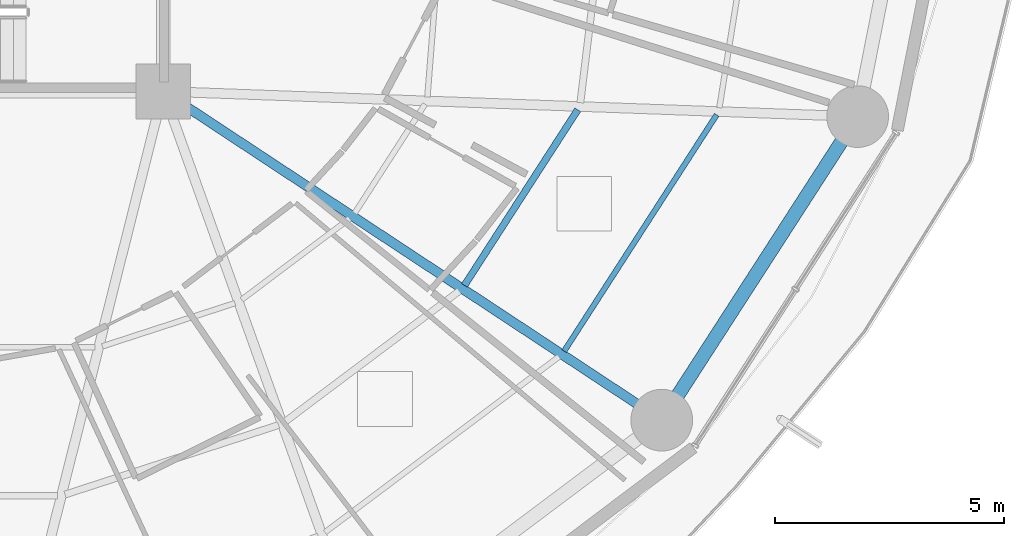
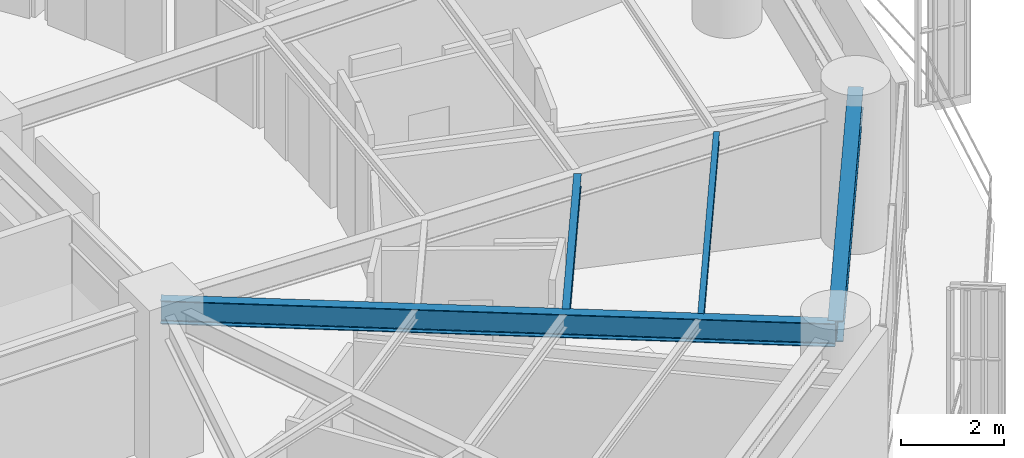
# One storey, part 13 of 38: 4 beams.
"""IFC4 building model written with IfcOpenShell, lengths in metres."""

import ifcopenshell
import ifcopenshell.guid

model = None  # the IFC model being written
_history = None  # IfcOwnerHistory: only IFC2X3 demands one
_inside = {}  # id of a spatial element -> (the spatial element, [elements in it])
_under = {}  # id of a project, library or spatial element -> (it, [spatial elements below it])
_declared = {}  # id of a project -> (the project, [libraries it declares])
_typed = {}  # id of a type object -> (the type object, [elements of that type])
_made_of = {}  # id of a material, layer set ... -> (it, [elements and type objects made of it])


def new_model(schema):
    """Start an empty IFC model of exactly this schema.

    Asked for "IFC4X3", IfcOpenShell would pick the latest addendum, in which some entities
    have other attributes; the version numbers below select the first issue.
    IFC2X3 requires an IfcOwnerHistory on every rooted entity: one is made here for all.
    """
    global model, _history
    if schema == "IFC4X3":
        model = ifcopenshell.file(schema_version=(4, 3, 0, 0))
    else:
        model = ifcopenshell.file(schema=schema)
    _inside.clear()
    _under.clear()
    _declared.clear()
    _typed.clear()
    _made_of.clear()
    _history = None
    if model.schema == "IFC2X3":
        org = make("IfcOrganization", Name="unknown")
        user = make(
            "IfcPersonAndOrganization",
            ThePerson=make("IfcPerson", FamilyName="unknown"),
            TheOrganization=org,
        )
        app = make(
            "IfcApplication",
            ApplicationDeveloper=org,
            Version="unknown",
            ApplicationFullName="unknown",
            ApplicationIdentifier="unknown",
        )
        _history = make(
            "IfcOwnerHistory",
            OwningUser=user,
            OwningApplication=app,
            ChangeAction="ADDED",
            CreationDate=0,
        )
    return model


def make(cls, **values):
    """One entity of the class cls with the attributes given. An attribute that is None is left unset."""
    return model.create_entity(
        cls, **{name: value for name, value in values.items() if value is not None}
    )


def rooted(cls, **values):
    """An entity with a GlobalId (a new one), such as an element, a storey or a relation."""
    return make(cls, GlobalId=ifcopenshell.guid.new(), OwnerHistory=_history, **values)


def si_unit(unit_type, name, prefix=None):
    """IfcSIUnit, for example si_unit("LENGTHUNIT", "METRE", prefix="MILLI")."""
    return make("IfcSIUnit", UnitType=unit_type, Prefix=prefix, Name=name)


def assignment(units):
    """IfcUnitAssignment: the units of a project."""
    return None if units is None else make("IfcUnitAssignment", Units=units)


def point(xyz):
    """IfcCartesianPoint."""
    return None if xyz is None else make("IfcCartesianPoint", Coordinates=xyz)


def direction(xyz):
    """IfcDirection."""
    return None if xyz is None else make("IfcDirection", DirectionRatios=xyz)


def frame(location, z_axis=None, x_axis=None):
    """IfcAxis2Placement3D, a coordinate frame: its origin and axes. An axis left out is left unset."""
    return make(
        "IfcAxis2Placement3D",
        Location=point(location),
        Axis=direction(z_axis),
        RefDirection=direction(x_axis),
    )


def frame_2d(location, x_axis=None):
    """IfcAxis2Placement2D, a coordinate frame in the plane: its origin and x axis."""
    return make(
        "IfcAxis2Placement2D", Location=point(location), RefDirection=direction(x_axis)
    )


def origin():
    """The frame at (0, 0, 0) with its axes left unset."""
    return frame((0.0, 0.0, 0.0))


def origin_2d():
    """The frame at (0, 0) in the plane with its x axis left unset."""
    return frame_2d((0.0, 0.0))


def place(relative_to, where):
    """IfcLocalPlacement: puts the frame where relative to a parent placement (None: the world)."""
    return make(
        "IfcLocalPlacement", PlacementRelTo=relative_to, RelativePlacement=where
    )


def context(
    kind, dimensions, precision=None, world=None, true_north=None, identifier=None
):
    """IfcGeometricRepresentationContext, for example the 3D "Model" context."""
    return make(
        "IfcGeometricRepresentationContext",
        ContextIdentifier=identifier,
        ContextType=kind,
        CoordinateSpaceDimension=dimensions,
        Precision=precision,
        WorldCoordinateSystem=world,
        TrueNorth=true_north,
    )


def subcontext(parent, identifier, kind, view, scale=None):
    """IfcGeometricRepresentationSubContext, for example "Body" below "Model"."""
    return make(
        "IfcGeometricRepresentationSubContext",
        ContextIdentifier=identifier,
        ContextType=kind,
        ParentContext=parent,
        TargetScale=scale,
        TargetView=view,
    )


def project(units=None, contexts=None):
    """IfcProject with its units and contexts."""
    return rooted(
        "IfcProject",
        Name="project",
        RepresentationContexts=contexts,
        UnitsInContext=assignment(units),
    )


def spatial(cls, under=None, at=None, **own):
    """A site, building, storey or space (cls), placed at a placement, below another one or the project."""
    s = rooted(cls, ObjectPlacement=at, **own)
    if under is not None:
        _under.setdefault(under.id(), (under, []))[1].append(s)
    return s


def profile(cls, at=None, kind="AREA", **sizes):
    """A parametric profile (cls). Its sizes go by their IFC names, for example OverallWidth=200.0."""
    return make(cls, ProfileType=kind, Position=at, **sizes)


def i_section(**sizes):
    """IfcIShapeProfileDef."""
    return profile("IfcIShapeProfileDef", **sizes)


def extrude(swept, where, along, depth):
    """IfcExtrudedAreaSolid: the profile swept, set in the frame where, extruded along a direction by depth."""
    return make(
        "IfcExtrudedAreaSolid",
        SweptArea=swept,
        Position=where,
        ExtrudedDirection=direction(along),
        Depth=depth,
    )


def shape(context_of_items, identifier, shape_type, items):
    """IfcShapeRepresentation: the items that make up one representation, for example the "Body"."""
    return make(
        "IfcShapeRepresentation",
        ContextOfItems=context_of_items,
        RepresentationIdentifier=identifier,
        RepresentationType=shape_type,
        Items=items,
    )


def material(Name=None, Category=None):
    """IfcMaterial."""
    return make("IfcMaterial", Name=Name, Category=Category)


def material_profile(
    of_material, cross_section, Name=None, Category=None, Priority=None
):
    """IfcMaterialProfile: a cross section and its material."""
    return make(
        "IfcMaterialProfile",
        Name=Name,
        Material=of_material,
        Profile=cross_section,
        Priority=Priority,
        Category=Category,
    )


def profile_set(profiles, Name=None, composite=None):
    """IfcMaterialProfileSet."""
    return make(
        "IfcMaterialProfileSet",
        Name=Name,
        MaterialProfiles=profiles,
        CompositeProfile=composite,
    )


def made_of(thing, what):
    """Note that an element or type object is made of a material, layer set ...; save() writes the relation."""
    if what is not None:
        _made_of.setdefault(what.id(), (what, []))[1].append(thing)
    return thing


def type_object(cls, material=None, **own):
    """A type object (cls), such as IfcWallType, which elements share."""
    return made_of(rooted(cls, **own), material)


def element(
    cls,
    number,
    at=None,
    inside=None,
    cuts=None,
    type_object=None,
    material=None,
    context=None,
    identifier="Body",
    shape_type=None,
    held_by="IfcProductDefinitionShape",
    body=None,
    shapes=None,
    **own,
):
    """One element of the class cls, such as IfcWall. Its Tag is "e" and its number.

    at: its placement. inside: the storey or other place that contains it. cuts: it is an
    opening in that element (IfcRelVoidsElement). A single representation is given by context,
    identifier, shape_type and body (its items); several are given by shapes. held_by: the class
    of the entity that holds the representations. save() writes the other relations.
    """
    e = rooted(cls, Tag="e%d" % number, ObjectPlacement=at, **own)
    if body is not None:
        shapes = [shape(context, identifier, shape_type, body)]
    if shapes is not None:
        e.Representation = make(held_by, Representations=shapes)
    if inside is not None:
        _inside.setdefault(inside.id(), (inside, []))[1].append(e)
    if cuts is not None:
        rooted(
            "IfcRelVoidsElement", RelatingBuildingElement=cuts, RelatedOpeningElement=e
        )
    if type_object is not None:
        _typed.setdefault(type_object.id(), (type_object, []))[1].append(e)
    return made_of(e, material)


def aggregate(whole, parts):
    """IfcRelAggregates: a whole, such as a stair, and the parts it consists of."""
    return rooted("IfcRelAggregates", RelatingObject=whole, RelatedObjects=parts)


def save(model, path):
    """Write the relations noted so far, then the file.

    IfcRelAggregates (storeys below a building ...), IfcRelContainedInSpatialStructure (elements
    in a storey), IfcRelDefinesByType, IfcRelAssociatesMaterial and IfcRelDeclares: one each for
    every whole, place, type object, material and project.
    """
    for whole, parts in _under.values():
        aggregate(whole, parts)
    for where, things in _inside.values():
        rooted(
            "IfcRelContainedInSpatialStructure",
            RelatedElements=things,
            RelatingStructure=where,
        )
    for kind, things in _typed.values():
        rooted("IfcRelDefinesByType", RelatedObjects=things, RelatingType=kind)
    for what, things in _made_of.values():
        rooted("IfcRelAssociatesMaterial", RelatedObjects=things, RelatingMaterial=what)
    for by, libraries in _declared.values():
        rooted("IfcRelDeclares", RelatingContext=by, RelatedDefinitions=libraries)
    model.write(path)


model = new_model("IFC4")

# Units and contexts
model_context = context("Model", 3, precision=1e-05, world=origin(), true_north=direction((0.0, 1.0)))
body_context = subcontext(model_context, "Body", "Model", "MODEL_VIEW")
ifc_project = project(units=[si_unit("LENGTHUNIT", "METRE"), si_unit("AREAUNIT", "SQUARE_METRE"), si_unit("VOLUMEUNIT", "CUBIC_METRE"), si_unit("PLANEANGLEUNIT", "RADIAN"), si_unit("MASSUNIT", "GRAM", prefix="KILO")], contexts=[model_context])

# Site, building, storey
site_placement = place(None, origin())
site = spatial("IfcSite", under=ifc_project, at=site_placement, CompositionType="ELEMENT")
building_placement = place(site_placement, origin())
building = spatial("IfcBuilding", under=site, at=building_placement, Name="Kelanora Arch Commons", CompositionType="ELEMENT")
storey_placement = place(building_placement, frame((0.0, 0.0, 106.35009765625)))
storey = spatial("IfcBuildingStorey", under=building, at=storey_placement, Name="L27", CompositionType="ELEMENT", Elevation=106.35009765625)

# Beams
ifc_material = material(Name="Steel S355", Category="steel")
ifc_material_profile_1 = material_profile(ifc_material, i_section(OverallWidth=0.14990234375, OverallDepth=0.300048828125, WebThickness=0.007080078125, FlangeThickness=0.0107421875, FilletRadius=0.014892578125, at=origin_2d()), Name="IPE300")
ifc_profile_set_1 = profile_set([ifc_material_profile_1], Name="Steel S355")
beam_type_1 = type_object("IfcBeamType", Name="BM-JST-01", PredefinedType="JOIST", material=ifc_profile_set_1)
beam_1_placement = place(storey_placement, frame((88.589599609375, 46.755615234375, 3.33984375), z_axis=(0.542230243286, 0.840229946661, 0.0), x_axis=(-0.840229946661, 0.542230243286, 0.0)))
element("IfcBeam", 1, at=beam_1_placement, inside=storey, type_object=beam_type_1, Name="Secondary Chord Joist BJB-32 L27", PredefinedType="JOIST", context=body_context, shape_type="SweptSolid", body=[
    extrude(i_section(OverallWidth=0.14990234375, OverallDepth=0.300048828125, WebThickness=0.007080078125, FlangeThickness=0.0107421875, FilletRadius=0.014892578125, at=origin_2d()), origin(), (0.0, 0.0, 1.0), 4.572265625),
])
ifc_material_profile_2 = material_profile(ifc_material, i_section(OverallWidth=0.1201171875, OverallDepth=0.239990234375, WebThickness=0.006103515625, FlangeThickness=0.009765625, FilletRadius=0.014892578125, at=origin_2d()), Name="IPE240")
ifc_profile_set_2 = profile_set([ifc_material_profile_2], Name="Steel S355")
beam_type_2 = type_object("IfcBeamType", Name="BM-JST-02", PredefinedType="JOIST", material=ifc_profile_set_2)
beam_2_placement = place(storey_placement, frame((90.77099609375, 45.317138671875, 3.369873046875), z_axis=(0.542212726273, 0.840241250754, 0.0), x_axis=(-0.840241250754, 0.542212726273, 0.0)))
element("IfcBeam", 2, at=beam_2_placement, inside=storey, type_object=beam_type_2, Name="Secondary Chord Joist BJC-32 L27", PredefinedType="JOIST", context=body_context, shape_type="SweptSolid", body=[
    extrude(i_section(OverallWidth=0.1201171875, OverallDepth=0.239990234375, WebThickness=0.006103515625, FlangeThickness=0.009765625, FilletRadius=0.014892578125, at=origin_2d()), origin(), (0.0, 0.0, 1.0), 6.15283203125),
])
ifc_material_profile_3 = material_profile(ifc_material, i_section(OverallWidth=0.2099609375, OverallDepth=0.550048828125, WebThickness=0.010986328125, FlangeThickness=0.01708984375, FilletRadius=0.02392578125, at=origin_2d()), Name="IPE550")
ifc_profile_set_3 = profile_set([ifc_material_profile_3], Name="Steel S355")
beam_type_3 = type_object("IfcBeamType", Name="BM-RAD-Z2", PredefinedType="BEAM", material=ifc_profile_set_3)
beam_3_placement = place(storey_placement, frame((82.0, 51.0, 3.21484375), z_axis=(0.834788577908, -0.550570640512, 0.0), x_axis=(0.550570640512, 0.834788577908, 0.0)))
element("IfcBeam", 3, at=beam_3_placement, inside=storey, type_object=beam_type_3, Name="Radial Floor Girder BR-32 L27", PredefinedType="BEAM", context=body_context, shape_type="SweptSolid", body=[
    extrude(i_section(OverallWidth=0.2099609375, OverallDepth=0.550048828125, WebThickness=0.010986328125, FlangeThickness=0.01708984375, FilletRadius=0.02392578125, at=origin_2d()), origin(), (0.0, 0.0, 1.0), 13.064453125),
])
ifc_material_profile_4 = material_profile(ifc_material, i_section(OverallWidth=0.300048828125, OverallDepth=0.5, WebThickness=0.014404296875, FlangeThickness=0.028076171875, FilletRadius=0.027099609375, at=origin_2d()), Name="HEB500")
ifc_profile_set_4 = profile_set([ifc_material_profile_4], Name="Steel S355")
beam_type_4 = type_object("IfcBeamType", Name="BM-SPN-Z2", PredefinedType="SPANDREL", material=ifc_profile_set_4)
beam_4_placement = place(storey_placement, frame((92.906005859375, 43.80712890625, 3.239990234375), z_axis=(0.542221144054, 0.840235818649, 0.0), x_axis=(-0.840235818649, 0.542221144054, 0.0)))
element("IfcBeam", 4, at=beam_4_placement, inside=storey, type_object=beam_type_4, Name="Perimeter Spandrel Beam BS-32 L27", PredefinedType="SPANDREL", context=body_context, shape_type="SweptSolid", body=[
    extrude(i_section(OverallWidth=0.300048828125, OverallDepth=0.5, WebThickness=0.014404296875, FlangeThickness=0.028076171875, FilletRadius=0.027099609375, at=origin_2d()), origin(), (0.0, 0.0, 1.0), 7.90380859375),
])

save(model, "model.ifc")
